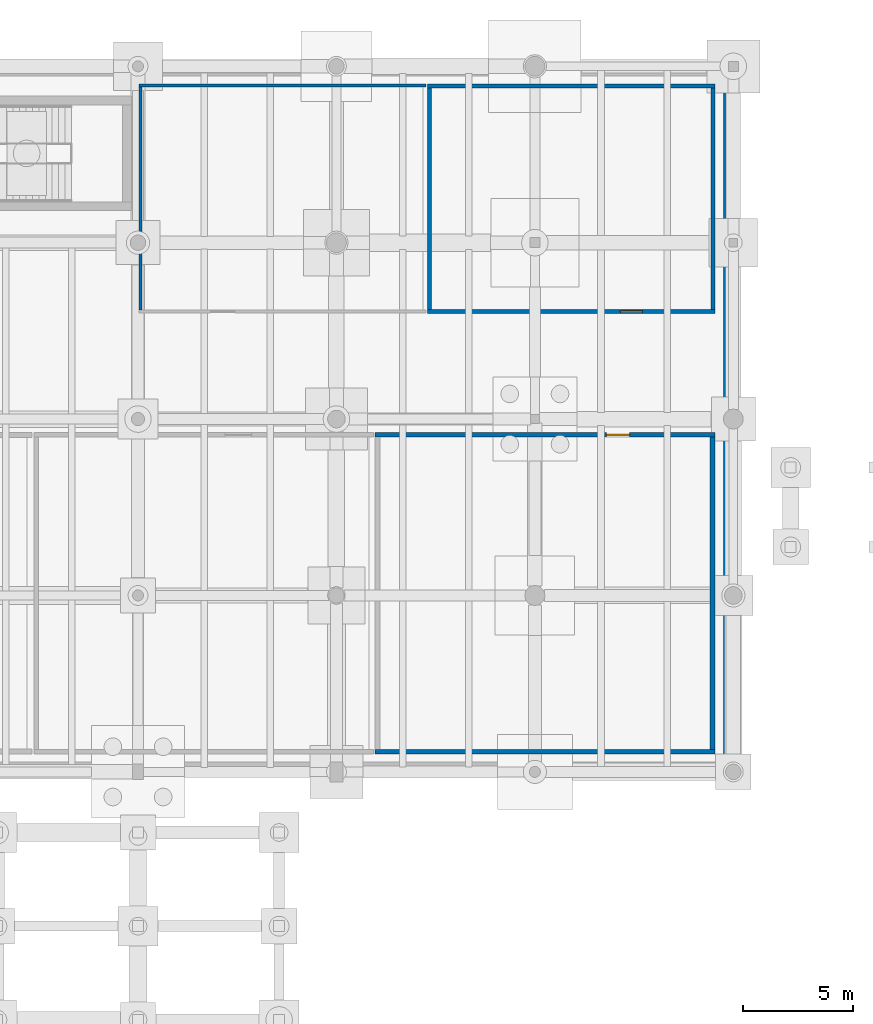
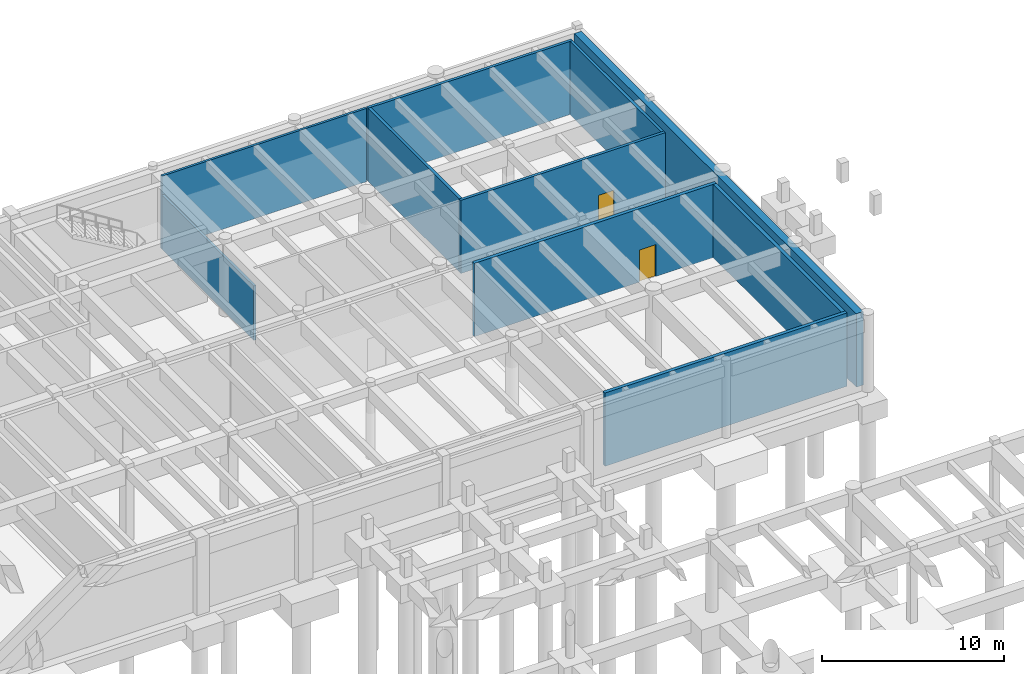
# One storey, part 31 of 36: 10 walls, 2 doors, 2 openings.
"""IFC4 building model written with IfcOpenShell, lengths in metres."""

from ifc_helpers import new_model, si_unit, direction, frame, frame_2d, origin, place, context, subcontext, project, spatial, rectangle, extrude, material, layer, layer_set, type_object, element, fill, save


model = new_model("IFC4")

# Units and contexts
model_context = context("Model", 3, precision=1e-05, world=origin(), true_north=direction((0.0, 1.0)))
body_context = subcontext(model_context, "Body", "Model", "MODEL_VIEW")
ifc_project = project(units=[si_unit("LENGTHUNIT", "METRE"), si_unit("AREAUNIT", "SQUARE_METRE"), si_unit("VOLUMEUNIT", "CUBIC_METRE"), si_unit("PLANEANGLEUNIT", "RADIAN"), si_unit("MASSUNIT", "GRAM", prefix="KILO"), si_unit("THERMODYNAMICTEMPERATUREUNIT", "KELVIN"), si_unit("POWERUNIT", "WATT")], contexts=[model_context])

# Site, building, storey
site_placement = place(None, origin())
site = spatial("IfcSite", under=ifc_project, at=site_placement, CompositionType="ELEMENT")
building_placement = place(site_placement, origin())
building = spatial("IfcBuilding", under=site, at=building_placement, Name="Tepalcoro Natatorium and Aquatics Centre", CompositionType="ELEMENT")
storey_placement = place(building_placement, frame((0.0, 0.0, -5.199951171875)))
storey = spatial("IfcBuildingStorey", under=building, at=storey_placement, Name="B1", CompositionType="ELEMENT", Elevation=-5.199951171875)

# Walls
ifc_material_1 = material(Name="Moisture-Resistant Acoustic Gypsum Drywall on Cold-Formed Metal Studs")
ifc_layer_1 = layer(ifc_material_1, 0.14990234375)
ifc_layer_set_1 = layer_set([ifc_layer_1], Name="Moisture-Resistant Acoustic Gypsum Drywall on Cold-Formed Metal Studs")
wall_type_1 = type_object("IfcWallType", Name="WL_PART_150_AC", PredefinedType="PARTITIONING", material=ifc_layer_set_1)
wall_1_placement = place(storey_placement, frame((62.0400390625, 117.125, 0.0), z_axis=(0.0, 0.0, 1.0), x_axis=(1.0, 0.0, 0.0)))
element("IfcWall", 1, at=wall_1_placement, inside=storey, type_object=wall_type_1, Name="Water-Quality Testing Laboratory Partition N", PredefinedType="PARTITIONING", context=body_context, shape_type="SweptSolid", body=[
    extrude(rectangle(XDim=13.02001953125, YDim=0.14990234375, at=frame_2d((6.510009765625, 0.0))), origin(), (0.0, 0.0, 1.0), 4.925048828125),
])
wall_2_placement = place(storey_placement, frame((62.114990234375, 106.949951171875, 0.0), z_axis=(0.0, 0.0, 1.0), x_axis=(0.0, 1.0, 0.0)))
element("IfcWall", 2, at=wall_2_placement, inside=storey, type_object=wall_type_1, Name="Water-Quality Testing Laboratory Partition W", PredefinedType="PARTITIONING", context=body_context, shape_type="SweptSolid", body=[
    extrude(rectangle(XDim=10.10009765625, YDim=0.14990234375, at=frame_2d((5.050048828125, 0.0))), origin(), (0.0, 0.0, 1.0), 3.659912109375),
])

# Wall, opening, door
ifc_layer_2 = layer(ifc_material_1, 0.179931640625)
ifc_layer_set_2 = layer_set([ifc_layer_2], Name="Moisture-Resistant Acoustic Gypsum Drywall on Cold-Formed Metal Studs")
wall_type_2 = type_object("IfcWallType", Name="WL_PART_180_AC", PredefinedType="PARTITIONING", material=ifc_layer_set_2)
wall_3_placement = place(storey_placement, frame((75.139892578125, 106.889892578125, 0.0), z_axis=(0.0, 0.0, 1.0), x_axis=(1.0, 0.0, 0.0)))
wall_3 = element("IfcWall", 3, at=wall_3_placement, inside=storey, type_object=wall_type_2, Name="Instrumentation & Telemetry Workshop Partition S", PredefinedType="PARTITIONING", context=body_context, shape_type="SweptSolid", body=[
    extrude(rectangle(XDim=13.02001953125, YDim=0.179931640625, at=frame_2d((6.510009765625, 0.0))), origin(), (0.0, 0.0, 1.0), 4.925048828125),
])
opening_1_placement = place(wall_3_placement, frame((8.739990234375, 0.0, 0.0)))
opening_1 = element("IfcOpeningElement", 4, at=opening_1_placement, cuts=wall_3, Name="Opening D0072", PredefinedType="OPENING", context=body_context, shape_type="SweptSolid", body=[
    extrude(rectangle(XDim=1.0, YDim=2.199951171875, at=frame_2d((0.5, 1.10009765625))), frame((0.0, 0.10205078125, 0.0), z_axis=(0.0, -1.0, 0.0), x_axis=(1.0, 0.0, 0.0)), (0.0, 0.0, 1.0), 0.203857421875),
])
ifc_material_2 = material(Name="Galvanised Steel Insulated Acoustic Fire Door Assembly", Category="steel")
door_type_1 = type_object("IfcDoorType", Name="DR_100x220_FD60", OperationType="NOTDEFINED", PredefinedType="DOOR", material=ifc_material_2)
door_1_placement = place(opening_1_placement, origin())
door_1 = element("IfcDoor", 5, at=door_1_placement, inside=storey, type_object=door_type_1, Name="Instrumentation & Telemetry Workshop Door", OperationType="SINGLE_SWING_RIGHT", OverallHeight=2.199951171875, OverallWidth=1.0, PredefinedType="DOOR", context=body_context, shape_type="SweptSolid", body=[
    extrude(rectangle(XDim=1.0, YDim=2.199951171875, at=frame_2d((0.5, 1.10009765625))), frame((0.0, 0.02490234375, 0.0), z_axis=(0.0, -1.0, 0.0), x_axis=(1.0, 0.0, 0.0)), (0.0, 0.0, 1.0), 0.050048828125),
])
fill(opening_1, door_1)

# Walls
wall_4_placement = place(storey_placement, frame((75.139892578125, 117.110107421875, 0.0), z_axis=(0.0, 0.0, 1.0), x_axis=(1.0, 0.0, 0.0)))
element("IfcWall", 6, at=wall_4_placement, inside=storey, type_object=wall_type_2, Name="Instrumentation & Telemetry Workshop Partition N", PredefinedType="PARTITIONING", context=body_context, shape_type="SweptSolid", body=[
    extrude(rectangle(XDim=13.02001953125, YDim=0.179931640625, at=frame_2d((6.510009765625, 0.0))), origin(), (0.0, 0.0, 1.0), 4.925048828125),
])
for number, where, z_axis, x_axis, name in (
    (7, (88.070068359375, 106.97998046875, 0.0), (0.0, 0.0, 1.0), (0.0, 1.0, 0.0), "Instrumentation & Telemetry Workshop Partition E"),
    (8, (75.22998046875, 106.97998046875, 0.0), (0.0, 0.0, 1.0), (0.0, 1.0, 0.0), "Instrumentation & Telemetry Workshop Partition W"),
):
    element("IfcWall", number, at=place(storey_placement, frame(where, z_axis=z_axis, x_axis=x_axis)), inside=storey, type_object=wall_type_2, Name=name, PredefinedType="PARTITIONING", context=body_context, shape_type="SweptSolid", body=[
        extrude(rectangle(XDim=10.0400390625, YDim=0.179931640625, at=frame_2d((5.02001953125, 0.0))), origin(), (0.0, 0.0, 1.0), 4.925048828125),
    ])
ifc_material_3 = material(Name="Ceramic-Tiled Moisture-Resistant Masonry Blockwork", Category="masonry")
ifc_layer_3 = layer(ifc_material_3, 0.219970703125)
ifc_layer_set_3 = layer_set([ifc_layer_3], Name="Ceramic-Tiled Moisture-Resistant Masonry Blockwork")
wall_type_3 = type_object("IfcWallType", Name="WL_PLUMB_220", PredefinedType="PLUMBINGWALL", material=ifc_layer_set_3)
wall_5_placement = place(storey_placement, frame((72.760009765625, 86.909912109375, 0.0), z_axis=(0.0, 0.0, 1.0), x_axis=(1.0, 0.0, 0.0)))
element("IfcWall", 9, at=wall_5_placement, inside=storey, type_object=wall_type_3, Name="Engineer Staff Changing & Male/Female Toilets Partition S", PredefinedType="PLUMBINGWALL", context=body_context, shape_type="SweptSolid", body=[
    extrude(rectangle(XDim=15.39990234375, YDim=0.219970703125, at=frame_2d((7.699951171875, 0.0))), origin(), (0.0, 0.0, 1.0), 4.925048828125),
])

# Wall, opening, door
wall_6_placement = place(storey_placement, frame((72.760009765625, 101.2900390625, 0.0), z_axis=(0.0, 0.0, 1.0), x_axis=(1.0, 0.0, 0.0)))
wall_6 = element("IfcWall", 10, at=wall_6_placement, inside=storey, type_object=wall_type_3, Name="Engineer Staff Changing & Male/Female Toilets Partition N", PredefinedType="PLUMBINGWALL", context=body_context, shape_type="SweptSolid", body=[
    extrude(rectangle(XDim=15.39990234375, YDim=0.219970703125, at=frame_2d((7.699951171875, 0.0))), origin(), (0.0, 0.0, 1.0), 4.925048828125),
])
opening_2_placement = place(wall_6_placement, frame((10.487548828125, 0.0, 0.0)))
opening_2 = element("IfcOpeningElement", 11, at=opening_2_placement, cuts=wall_6, Name="Opening D0068", PredefinedType="OPENING", context=body_context, shape_type="SweptSolid", body=[
    extrude(rectangle(XDim=1.050048828125, YDim=2.14990234375, at=frame_2d((0.52490234375, 1.074951171875))), frame((0.0, 0.1220703125, 0.0), z_axis=(0.0, -1.0, 0.0), x_axis=(1.0, 0.0, 0.0)), (0.0, 0.0, 1.0), 0.243896484375),
])
ifc_material_4 = material(Name="Solid-Core Moisture-Sealed Oak Timber Leaf in Aluminium Frame", Category="wood")
door_type_2 = type_object("IfcDoorType", Name="DR_105x215_ACC", OperationType="NOTDEFINED", PredefinedType="DOOR", material=ifc_material_4)
door_2_placement = place(opening_2_placement, frame((1.050048828125, 0.0, 0.0), z_axis=(0.0, 0.0, 1.0), x_axis=(-1.0, 0.0, 0.0)))
door_2 = element("IfcDoor", 12, at=door_2_placement, inside=storey, type_object=door_type_2, Name="Engineer Staff Changing & Male/Female Toilets Door", OperationType="SINGLE_SWING_RIGHT", OverallHeight=2.14990234375, OverallWidth=1.050048828125, PredefinedType="DOOR", context=body_context, shape_type="SweptSolid", body=[
    extrude(rectangle(XDim=1.050048828125, YDim=2.14990234375, at=frame_2d((0.52490234375, 1.074951171875))), frame((0.0, 0.02490234375, 0.0), z_axis=(0.0, -1.0, 0.0), x_axis=(1.0, 0.0, 0.0)), (0.0, 0.0, 1.0), 0.050048828125),
])
fill(opening_2, door_2)

# Walls
wall_7_placement = place(storey_placement, frame((88.050048828125, 87.02001953125, 0.0), z_axis=(0.0, 0.0, 1.0), x_axis=(0.0, 1.0, 0.0)))
element("IfcWall", 13, at=wall_7_placement, inside=storey, type_object=wall_type_3, Name="Engineer Staff Changing & Male/Female Toilets Partition E", PredefinedType="PLUMBINGWALL", context=body_context, shape_type="SweptSolid", body=[
    extrude(rectangle(XDim=14.159912109375, YDim=0.219970703125, at=frame_2d((7.080078125, 0.0))), origin(), (0.0, 0.0, 1.0), 4.925048828125),
])
ifc_material_5 = material(Name="Concrete C40/50 (fc 40 MPa)", Category="concrete")
ifc_layer_4 = layer(ifc_material_5, 0.449951171875)
ifc_layer_set_4 = layer_set([ifc_layer_4], Name="Concrete C40/50 (fc 40 MPa)")
wall_type_4 = type_object("IfcWallType", Name="WL_RET_450", PredefinedType="USERDEFINED", material=ifc_layer_set_4)
wall_8_placement = place(storey_placement, frame((88.77490234375, 86.449951171875, 0.0), z_axis=(0.0, 0.0, 1.0), x_axis=(0.0, 1.0, 0.0)))
element("IfcWall", 14, at=wall_8_placement, inside=storey, type_object=wall_type_4, Name="V4 Basement Retaining Wall E", ObjectType="RETAINING WALL", PredefinedType="USERDEFINED", context=body_context, shape_type="SweptSolid", body=[
    extrude(rectangle(XDim=31.10009765625, YDim=0.449951171875, at=frame_2d((15.550048828125, 0.0))), origin(), (0.0, 0.0, 1.0), 4.93994140625),
])

save(model, "model.ifc")
